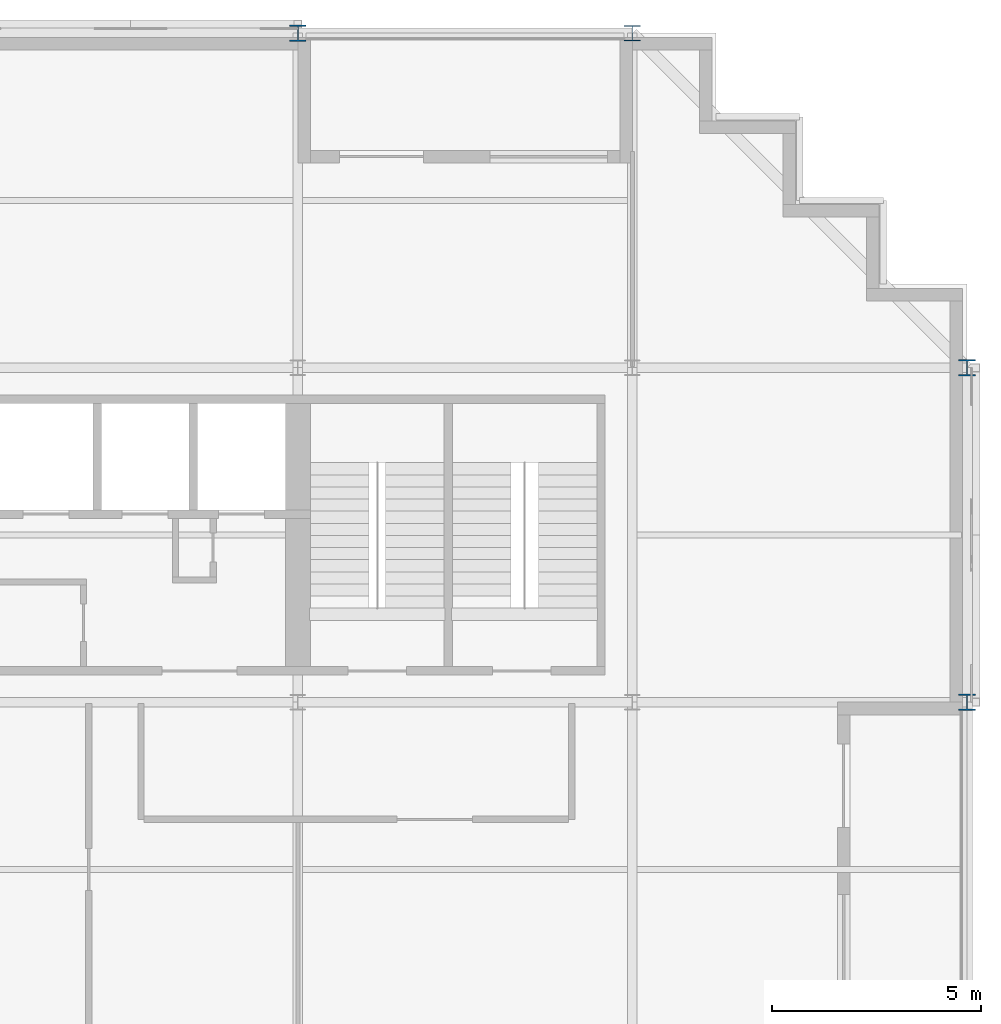
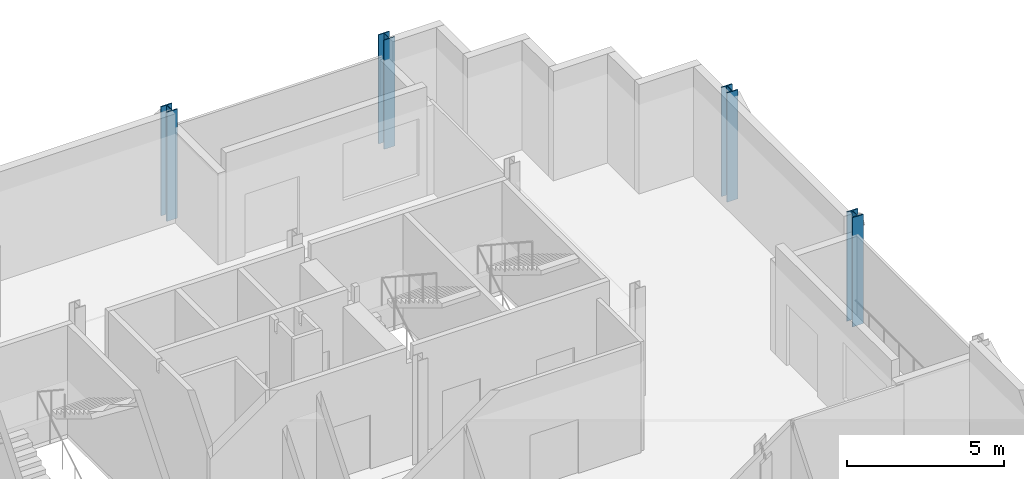
# One storey, part 3 of 13: 4 columns.
"""IFC4 building model written with IfcOpenShell, lengths in metres."""

from ifc_helpers import new_model, si_unit, direction, frame, origin, origin_2d, place, context, subcontext, project, spatial, i_section, extrude, material, material_profile, profile_set, type_object, element, save


model = new_model("IFC4")

# Units and contexts
model_context = context("Model", 3, precision=1e-05, world=origin(), true_north=direction((0.0, 1.0)))
body_context = subcontext(model_context, "Body", "Model", "MODEL_VIEW")
ifc_project = project(units=[si_unit("LENGTHUNIT", "METRE"), si_unit("AREAUNIT", "SQUARE_METRE"), si_unit("VOLUMEUNIT", "CUBIC_METRE"), si_unit("PLANEANGLEUNIT", "RADIAN"), si_unit("MASSUNIT", "GRAM", prefix="KILO")], contexts=[model_context])

# Site, building, storey
site_placement = place(None, origin())
site = spatial("IfcSite", under=ifc_project, at=site_placement, CompositionType="ELEMENT")
building_placement = place(site_placement, origin())
building = spatial("IfcBuilding", under=site, at=building_placement, Name="Immortelle Media Tower", CompositionType="ELEMENT")
storey_placement = place(building_placement, frame((0.0, 0.0, 74.39990234375)))
storey = spatial("IfcBuildingStorey", under=building, at=storey_placement, Name="L13", CompositionType="ELEMENT", Elevation=74.39990234375)

# Columns
ifc_material = material(Name="Steel ASTM A992 Gr 50", Category="steel")
ifc_material_profile_1 = material_profile(ifc_material, i_section(OverallWidth=0.39404296875, OverallDepth=0.3759765625, WebThickness=0.01708984375, FlangeThickness=0.028076171875, at=origin_2d()), Name="W14x145")
ifc_profile_set_1 = profile_set([ifc_material_profile_1], Name="Steel ASTM A992 Gr 50")
column_type_1 = type_object("IfcColumnType", Name="W14x145 column", PredefinedType="COLUMN", material=ifc_profile_set_1)
column_placement = place(storey_placement, frame((40.0, 48.0, 0.0), z_axis=(0.0, 0.0, 1.0), x_axis=(1.0, 0.0, 0.0)))
element("IfcColumn", 1, at=column_placement, inside=storey, type_object=column_type_1, Name="Column 6/G", PredefinedType="COLUMN", context=body_context, shape_type="SweptSolid", body=[
    extrude(i_section(OverallWidth=0.39404296875, OverallDepth=0.3759765625, WebThickness=0.01708984375, FlangeThickness=0.028076171875, at=origin_2d()), origin(), (0.0, 0.0, 1.0), 4.25),
])
ifc_material_profile_2 = material_profile(ifc_material, i_section(OverallWidth=0.40087890625, OverallDepth=0.39892578125, WebThickness=0.02490234375, FlangeThickness=0.0400390625, at=origin_2d()), Name="W14x211")
ifc_profile_set_2 = profile_set([ifc_material_profile_2], Name="Steel ASTM A992 Gr 50")
column_type_2 = type_object("IfcColumnType", Name="W14x211 column", PredefinedType="COLUMN", material=ifc_profile_set_2)
for number, where, z_axis, x_axis, name in (
    (2, (32.0, 48.0, 0.0), (0.0, 0.0, 1.0), (1.0, 0.0, 0.0), "Column 5/G"),
    (3, (48.0, 32.0, 0.0), (0.0, 0.0, 1.0), (1.0, 0.0, 0.0), "Column 7/E"),
    (4, (48.0, 40.0, 0.0), (0.0, 0.0, 1.0), (1.0, 0.0, 0.0), "Column 7/F"),
):
    element("IfcColumn", number, at=place(storey_placement, frame(where, z_axis=z_axis, x_axis=x_axis)), inside=storey, type_object=column_type_2, Name=name, PredefinedType="COLUMN", context=body_context, shape_type="SweptSolid", body=[
        extrude(i_section(OverallWidth=0.40087890625, OverallDepth=0.39892578125, WebThickness=0.02490234375, FlangeThickness=0.0400390625, at=origin_2d()), origin(), (0.0, 0.0, 1.0), 4.25),
    ])

save(model, "model.ifc")
